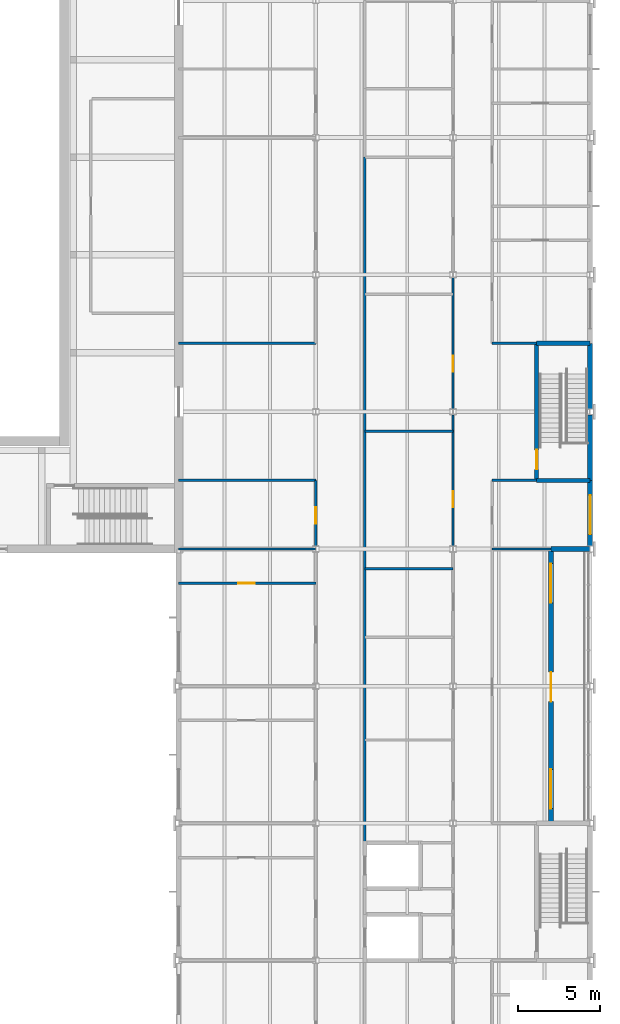
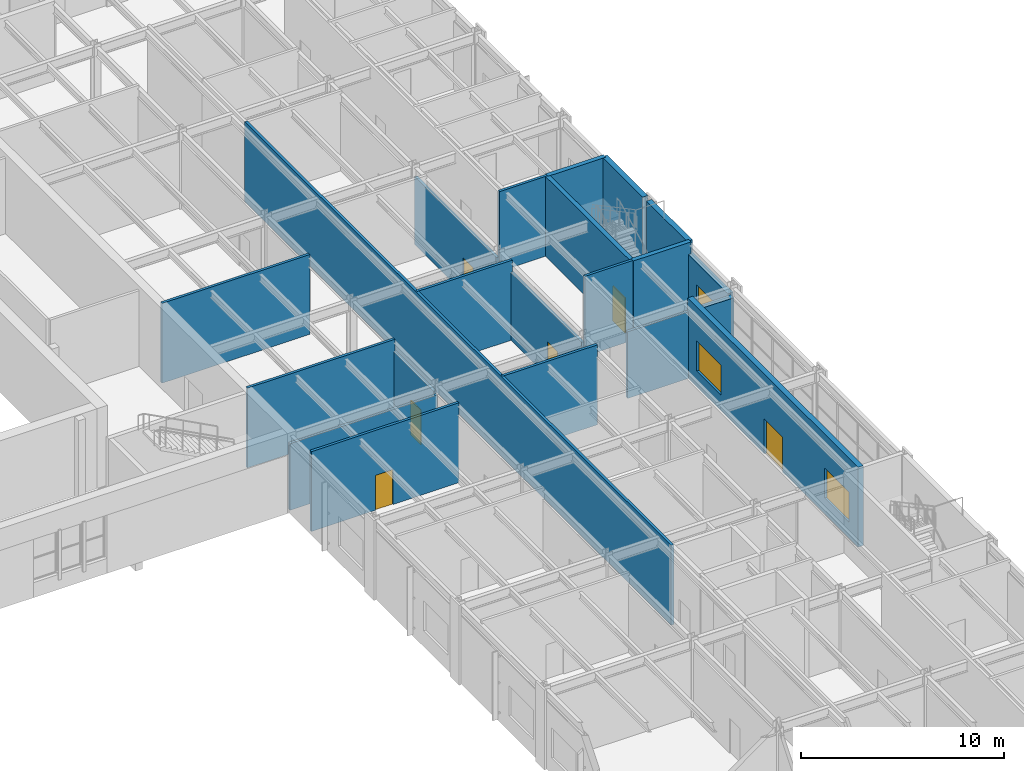
# One storey, part 76 of 127: 21 walls, 6 doors, 3 windows, 9 openings.
"""IFC4 building model written with IfcOpenShell, lengths in metres."""

from ifc_helpers import new_model, si_unit, direction, frame, frame_2d, origin, place, context, subcontext, project, spatial, rectangle, extrude, material, layer, layer_set, type_object, element, fill, save


model = new_model("IFC4")

# Units and contexts
model_context = context("Model", 3, precision=1e-05, world=origin(), true_north=direction((0.0, 1.0)))
body_context = subcontext(model_context, "Body", "Model", "MODEL_VIEW")
ifc_project = project(units=[si_unit("LENGTHUNIT", "METRE"), si_unit("AREAUNIT", "SQUARE_METRE"), si_unit("VOLUMEUNIT", "CUBIC_METRE"), si_unit("PLANEANGLEUNIT", "RADIAN"), si_unit("MASSUNIT", "GRAM", prefix="KILO")], contexts=[model_context])

# Site, building, storey
site_placement = place(None, origin())
site = spatial("IfcSite", under=ifc_project, at=site_placement, CompositionType="ELEMENT")
building_placement = place(site_placement, origin())
building = spatial("IfcBuilding", under=site, at=building_placement, Name="Ljudholm Concert House", CompositionType="ELEMENT")
storey_placement = place(building_placement, frame((0.0, 0.0, 5.39990234375)))
storey = spatial("IfcBuildingStorey", under=building, at=storey_placement, Name="L01", CompositionType="ELEMENT", Elevation=5.39990234375)

# Wall, opening, door
ifc_material_1 = material(Name="Gypsum board on steel studs", Category="steel")
ifc_layer_1 = layer(ifc_material_1, 0.14990234375)
ifc_layer_set_1 = layer_set([ifc_layer_1], Name="Gypsum board on steel studs")
wall_type_1 = type_object("IfcWallType", Name="GYPSUM PARTITION 150", PredefinedType="PARTITIONING", material=ifc_layer_set_1)
wall_1_placement = place(storey_placement, frame((104.800048828125, 54.586669921875, 0.0), z_axis=(0.0, 0.0, 1.0), x_axis=(0.0, 1.0, 0.0)))
wall_1 = element("IfcWall", 1, at=wall_1_placement, inside=storey, type_object=wall_type_1, Name="Partition", PredefinedType="PARTITIONING", context=body_context, shape_type="SweptSolid", body=[
    extrude(rectangle(XDim=4.013427734375, YDim=0.14990234375, at=frame_2d((2.0068359375, 0.0))), origin(), (0.0, 0.0, 1.0), 4.086669921875),
])
opening_1_placement = place(wall_1_placement, frame((1.36328125, 0.0, 0.0)))
opening_1 = element("IfcOpeningElement", 2, at=opening_1_placement, cuts=wall_1, Name="Opening D-W01-018", PredefinedType="OPENING", context=body_context, shape_type="SweptSolid", body=[
    extrude(rectangle(XDim=1.0, YDim=2.10009765625, at=frame_2d((0.5, 1.050048828125))), frame((0.0, 0.0849609375, 0.0), z_axis=(0.0, -1.0, 0.0), x_axis=(1.0, 0.0, 0.0)), (0.0, 0.0, 1.0), 0.169921875),
])
ifc_material_2 = material(Name="Hollow metal door in steel frame", Category="steel")
door_type_1 = type_object("IfcDoorType", Name="SWING DOOR 1000x2100", OperationType="SINGLE_SWING_LEFT", PredefinedType="DOOR", material=ifc_material_2)
door_1_placement = place(opening_1_placement, origin())
door_1 = element("IfcDoor", 3, at=door_1_placement, inside=storey, type_object=door_type_1, Name="Door", OperationType="SINGLE_SWING_RIGHT", OverallHeight=2.10009765625, OverallWidth=1.0, PredefinedType="DOOR", context=body_context, shape_type="SweptSolid", body=[
    extrude(rectangle(XDim=1.0, YDim=2.10009765625, at=frame_2d((0.5, 1.050048828125))), frame((0.0, 0.02490234375, 0.0), z_axis=(0.0, -1.0, 0.0), x_axis=(1.0, 0.0, 0.0)), (0.0, 0.0, 1.0), 0.050048828125),
])
fill(opening_1, door_1)

# Wall
wall_2_placement = place(storey_placement, frame((107.800048828125, 36.39990234375, 0.0), z_axis=(0.0, 0.0, 1.0), x_axis=(0.0, 1.0, 0.0)))
element("IfcWall", 4, at=wall_2_placement, inside=storey, type_object=wall_type_1, Name="Partition", PredefinedType="PARTITIONING", context=body_context, shape_type="SweptSolid", body=[
    extrude(rectangle(XDim=42.0, YDim=0.14990234375, at=frame_2d((21.0, 0.0))), origin(), (0.0, 0.0, 1.0), 4.800048828125),
])

# Wall, opening, door
wall_3_placement = place(storey_placement, frame((113.199951171875, 54.586669921875, 0.0), z_axis=(0.0, 0.0, 1.0), x_axis=(0.0, 1.0, 0.0)))
wall_3 = element("IfcWall", 5, at=wall_3_placement, inside=storey, type_object=wall_type_1, Name="Partition", PredefinedType="PARTITIONING", context=body_context, shape_type="SweptSolid", body=[
    extrude(rectangle(XDim=8.026611328125, YDim=0.14990234375, at=frame_2d((4.01318359375, 0.0))), origin(), (0.0, 0.0, 1.0), 4.086669921875),
])
opening_2_placement = place(wall_3_placement, frame((2.36328125, 0.0, 0.0)))
opening_2 = element("IfcOpeningElement", 6, at=opening_2_placement, cuts=wall_3, Name="Opening D-W01-028", PredefinedType="OPENING", context=body_context, shape_type="SweptSolid", body=[
    extrude(rectangle(XDim=1.0, YDim=2.10009765625, at=frame_2d((0.5, 1.050048828125))), frame((0.0, 0.0849609375, 0.0), z_axis=(0.0, -1.0, 0.0), x_axis=(1.0, 0.0, 0.0)), (0.0, 0.0, 1.0), 0.169921875),
])
door_2_placement = place(opening_2_placement, origin())
door_2 = element("IfcDoor", 7, at=door_2_placement, inside=storey, type_object=door_type_1, Name="Door", OperationType="SINGLE_SWING_LEFT", OverallHeight=2.10009765625, OverallWidth=1.0, PredefinedType="DOOR", context=body_context, shape_type="SweptSolid", body=[
    extrude(rectangle(XDim=1.0, YDim=2.10009765625, at=frame_2d((0.5, 1.050048828125))), frame((0.0, 0.02490234375, 0.0), z_axis=(0.0, -1.0, 0.0), x_axis=(1.0, 0.0, 0.0)), (0.0, 0.0, 1.0), 0.050048828125),
])
fill(opening_2, door_2)

wall_4_placement = place(storey_placement, frame((113.199951171875, 62.986572265625, 0.0), z_axis=(0.0, 0.0, 1.0), x_axis=(0.0, 1.0, 0.0)))
wall_4 = element("IfcWall", 8, at=wall_4_placement, inside=storey, type_object=wall_type_1, Name="Partition", PredefinedType="PARTITIONING", context=body_context, shape_type="SweptSolid", body=[
    extrude(rectangle(XDim=8.02685546875, YDim=0.14990234375, at=frame_2d((4.013427734375, 0.0))), origin(), (0.0, 0.0, 1.0), 4.086669921875),
])
opening_3_placement = place(wall_4_placement, frame((2.263427734375, 0.0, 0.0)))
opening_3 = element("IfcOpeningElement", 9, at=opening_3_placement, cuts=wall_4, Name="Opening D-W01-029", PredefinedType="OPENING", context=body_context, shape_type="SweptSolid", body=[
    extrude(rectangle(XDim=1.0, YDim=2.10009765625, at=frame_2d((0.5, 1.050048828125))), frame((0.0, 0.0849609375, 0.0), z_axis=(0.0, -1.0, 0.0), x_axis=(1.0, 0.0, 0.0)), (0.0, 0.0, 1.0), 0.169921875),
])
door_3_placement = place(opening_3_placement, origin())
door_3 = element("IfcDoor", 10, at=door_3_placement, inside=storey, type_object=door_type_1, Name="Door", OperationType="SINGLE_SWING_LEFT", OverallHeight=2.10009765625, OverallWidth=1.0, PredefinedType="DOOR", context=body_context, shape_type="SweptSolid", body=[
    extrude(rectangle(XDim=1.0, YDim=2.10009765625, at=frame_2d((0.5, 1.050048828125))), frame((0.0, 0.02490234375, 0.0), z_axis=(0.0, -1.0, 0.0), x_axis=(1.0, 0.0, 0.0)), (0.0, 0.0, 1.0), 0.050048828125),
])
fill(opening_3, door_3)

wall_5_placement = place(storey_placement, frame((96.39990234375, 52.300048828125, 0.0), z_axis=(0.0, 0.0, 1.0), x_axis=(1.0, 0.0, 0.0)))
wall_5 = element("IfcWall", 11, at=wall_5_placement, inside=storey, type_object=wall_type_1, Name="Partition", PredefinedType="PARTITIONING", context=body_context, shape_type="SweptSolid", body=[
    extrude(rectangle(XDim=8.400146484375, YDim=0.14990234375, at=frame_2d((4.2001953125, 0.0))), origin(), (0.0, 0.0, 1.0), 4.800048828125),
])
opening_4_placement = place(wall_5_placement, frame((3.64990234375, 0.0, 0.0)))
opening_4 = element("IfcOpeningElement", 12, at=opening_4_placement, cuts=wall_5, Name="Opening D-W01-017", PredefinedType="OPENING", context=body_context, shape_type="SweptSolid", body=[
    extrude(rectangle(XDim=1.0, YDim=2.10009765625, at=frame_2d((0.5, 1.050048828125))), frame((0.0, 0.0849609375, 0.0), z_axis=(0.0, -1.0, 0.0), x_axis=(1.0, 0.0, 0.0)), (0.0, 0.0, 1.0), 0.169921875),
])
door_4_placement = place(opening_4_placement, origin())
door_4 = element("IfcDoor", 13, at=door_4_placement, inside=storey, type_object=door_type_1, Name="Door", OperationType="SINGLE_SWING_RIGHT", OverallHeight=2.10009765625, OverallWidth=1.0, PredefinedType="DOOR", context=body_context, shape_type="SweptSolid", body=[
    extrude(rectangle(XDim=1.0, YDim=2.10009765625, at=frame_2d((0.5, 1.050048828125))), frame((0.0, 0.02490234375, 0.0), z_axis=(0.0, -1.0, 0.0), x_axis=(1.0, 0.0, 0.0)), (0.0, 0.0, 1.0), 0.050048828125),
])
fill(opening_4, door_4)

# Walls
wall_6_placement = place(storey_placement, frame((107.800048828125, 53.199951171875, 0.0), z_axis=(0.0, 0.0, 1.0), x_axis=(1.0, 0.0, 0.0)))
element("IfcWall", 14, at=wall_6_placement, inside=storey, type_object=wall_type_1, Name="Partition", PredefinedType="PARTITIONING", context=body_context, shape_type="SweptSolid", body=[
    extrude(rectangle(XDim=5.39990234375, YDim=0.14990234375, at=frame_2d((2.699951171875, 0.0))), origin(), (0.0, 0.0, 1.0), 4.800048828125),
])
wall_7_placement = place(storey_placement, frame((96.39990234375, 54.39990234375, 0.0), z_axis=(0.0, 0.0, 1.0), x_axis=(1.0, 0.0, 0.0)))
element("IfcWall", 15, at=wall_7_placement, inside=storey, type_object=wall_type_1, Name="Partition", PredefinedType="PARTITIONING", context=body_context, shape_type="SweptSolid", body=[
    extrude(rectangle(XDim=8.391845703125, YDim=0.14990234375, at=frame_2d((4.19580078125, 0.0))), origin(), (0.0, 0.0, 1.0), 4.008056640625),
])
wall_8_placement = place(storey_placement, frame((115.60009765625, 54.39990234375, 0.0), z_axis=(0.0, 0.0, 1.0), x_axis=(1.0, 0.0, 0.0)))
element("IfcWall", 16, at=wall_8_placement, inside=storey, type_object=wall_type_1, Name="Partition", PredefinedType="PARTITIONING", context=body_context, shape_type="SweptSolid", body=[
    extrude(rectangle(XDim=3.599853515625, YDim=0.14990234375, at=frame_2d((1.7998046875, 0.0))), origin(), (0.0, 0.0, 1.0), 4.008056640625),
])
wall_9_placement = place(storey_placement, frame((96.39990234375, 58.60009765625, 0.0), z_axis=(0.0, 0.0, 1.0), x_axis=(1.0, 0.0, 0.0)))
element("IfcWall", 17, at=wall_9_placement, inside=storey, type_object=wall_type_1, Name="Partition", PredefinedType="PARTITIONING", context=body_context, shape_type="SweptSolid", body=[
    extrude(rectangle(XDim=8.400146484375, YDim=0.14990234375, at=frame_2d((4.2001953125, 0.0))), origin(), (0.0, 0.0, 1.0), 4.800048828125),
])
wall_10_placement = place(storey_placement, frame((115.60009765625, 58.60009765625, 0.0), z_axis=(0.0, 0.0, 1.0), x_axis=(1.0, 0.0, 0.0)))
element("IfcWall", 18, at=wall_10_placement, inside=storey, type_object=wall_type_1, Name="Partition", PredefinedType="PARTITIONING", context=body_context, shape_type="SweptSolid", body=[
    extrude(rectangle(XDim=2.724853515625, YDim=0.14990234375, at=frame_2d((1.3623046875, 0.0))), origin(), (0.0, 0.0, 1.0), 4.800048828125),
])
wall_11_placement = place(storey_placement, frame((107.800048828125, 61.60009765625, 0.0), z_axis=(0.0, 0.0, 1.0), x_axis=(1.0, 0.0, 0.0)))
element("IfcWall", 19, at=wall_11_placement, inside=storey, type_object=wall_type_1, Name="Partition", PredefinedType="PARTITIONING", context=body_context, shape_type="SweptSolid", body=[
    extrude(rectangle(XDim=5.39990234375, YDim=0.14990234375, at=frame_2d((2.699951171875, 0.0))), origin(), (0.0, 0.0, 1.0), 4.800048828125),
])
wall_12_placement = place(storey_placement, frame((96.39990234375, 67.0, 0.0), z_axis=(0.0, 0.0, 1.0), x_axis=(1.0, 0.0, 0.0)))
element("IfcWall", 20, at=wall_12_placement, inside=storey, type_object=wall_type_1, Name="Partition", PredefinedType="PARTITIONING", context=body_context, shape_type="SweptSolid", body=[
    extrude(rectangle(XDim=8.400146484375, YDim=0.14990234375, at=frame_2d((4.2001953125, 0.0))), origin(), (0.0, 0.0, 1.0), 4.800048828125),
])
wall_13_placement = place(storey_placement, frame((115.60009765625, 67.0, 0.0), z_axis=(0.0, 0.0, 1.0), x_axis=(1.0, 0.0, 0.0)))
element("IfcWall", 21, at=wall_13_placement, inside=storey, type_object=wall_type_1, Name="Partition", PredefinedType="PARTITIONING", context=body_context, shape_type="SweptSolid", body=[
    extrude(rectangle(XDim=2.724853515625, YDim=0.14990234375, at=frame_2d((1.3623046875, 0.0))), origin(), (0.0, 0.0, 1.0), 4.800048828125),
])

# Wall, opening, window
ifc_material_3 = material(Name="Precast concrete 5,000 psi", Category="concrete")
ifc_layer_2 = layer(ifc_material_3, 0.300048828125)
ifc_layer_set_2 = layer_set([ifc_layer_2], Name="Precast concrete 5,000 psi")
wall_type_2 = type_object("IfcWallType", Name="PRECAST PANEL WALL 300", PredefinedType="SOLIDWALL", material=ifc_layer_set_2)
wall_14_placement = place(storey_placement, frame((121.60009765625, 54.586669921875, 0.0), z_axis=(0.0, 0.0, 1.0), x_axis=(0.0, 1.0, 0.0)))
wall_14 = element("IfcWall", 22, at=wall_14_placement, inside=storey, type_object=wall_type_2, Name="Facade wall", PredefinedType="SOLIDWALL", context=body_context, shape_type="SweptSolid", body=[
    extrude(rectangle(XDim=4.013427734375, YDim=0.300048828125, at=frame_2d((2.0068359375, 0.0))), origin(), (0.0, 0.0, 1.0), 4.086669921875),
])
opening_5_placement = place(wall_14_placement, frame((0.71337890625, 0.0, 0.949951171875)))
opening_5 = element("IfcOpeningElement", 23, at=opening_5_placement, cuts=wall_14, Name="Opening X-W01-009", PredefinedType="OPENING", context=body_context, shape_type="SweptSolid", body=[
    extrude(rectangle(XDim=2.39990234375, YDim=1.800048828125, at=frame_2d((1.199951171875, 0.89990234375))), frame((0.0, 0.159912109375, 0.0), z_axis=(0.0, -1.0, 0.0), x_axis=(1.0, 0.0, 0.0)), (0.0, 0.0, 1.0), 0.320068359375),
])
ifc_material_4 = material(Name="Aluminium frame, impact glazing", Category="aluminium")
window_type = type_object("IfcWindowType", Name="CASEMENT WINDOW 2400x1800", PartitioningType="DOUBLE_PANEL_VERTICAL", PredefinedType="WINDOW", material=ifc_material_4)
window_1_placement = place(opening_5_placement, origin())
window_1 = element("IfcWindow", 24, at=window_1_placement, inside=storey, type_object=window_type, Name="Window", OverallHeight=1.800048828125, OverallWidth=2.39990234375, PartitioningType="DOUBLE_PANEL_VERTICAL", PredefinedType="WINDOW", context=body_context, shape_type="SweptSolid", body=[
    extrude(rectangle(XDim=2.39990234375, YDim=1.800048828125, at=frame_2d((1.199951171875, 0.89990234375))), frame((0.0, 0.030029296875, 0.0), z_axis=(0.0, -1.0, 0.0), x_axis=(1.0, 0.0, 0.0)), (0.0, 0.0, 1.0), 0.06005859375),
])
fill(opening_5, window_1)

# Wall, openings, windows, door
wall_15_placement = place(storey_placement, frame((119.199951171875, 37.60009765625, 0.0), z_axis=(0.0, 0.0, 1.0), x_axis=(0.0, 1.0, 0.0)))
wall_15 = element("IfcWall", 25, at=wall_15_placement, inside=storey, type_object=wall_type_2, Name="Loggia wall", PredefinedType="SOLIDWALL", context=body_context, shape_type="SweptSolid", body=[
    extrude(rectangle(XDim=16.7998046875, YDim=0.300048828125, at=frame_2d((8.39990234375, 0.0))), origin(), (0.0, 0.0, 1.0), 4.800048828125),
])
opening_6_placement = place(wall_15_placement, frame((7.449951171875, 0.0, 0.0)))
opening_6 = element("IfcOpeningElement", 26, at=opening_6_placement, cuts=wall_15, Name="Opening D-W01-045", PredefinedType="OPENING", context=body_context, shape_type="SweptSolid", body=[
    extrude(rectangle(XDim=1.800048828125, YDim=2.10009765625, at=frame_2d((0.89990234375, 1.050048828125))), frame((0.0, 0.159912109375, 0.0), z_axis=(0.0, -1.0, 0.0), x_axis=(1.0, 0.0, 0.0)), (0.0, 0.0, 1.0), 0.320068359375),
])
opening_7_placement = place(wall_15_placement, frame((0.89990234375, 0.0, 0.949951171875)))
opening_7 = element("IfcOpeningElement", 27, at=opening_7_placement, cuts=wall_15, Name="Opening X-W01-015", PredefinedType="OPENING", context=body_context, shape_type="SweptSolid", body=[
    extrude(rectangle(XDim=2.39990234375, YDim=1.800048828125, at=frame_2d((1.199951171875, 0.89990234375))), frame((0.0, 0.159912109375, 0.0), z_axis=(0.0, -1.0, 0.0), x_axis=(1.0, 0.0, 0.0)), (0.0, 0.0, 1.0), 0.320068359375),
])
opening_8_placement = place(wall_15_placement, frame((13.5, 0.0, 0.949951171875)))
opening_8 = element("IfcOpeningElement", 28, at=opening_8_placement, cuts=wall_15, Name="Opening X-W01-016", PredefinedType="OPENING", context=body_context, shape_type="SweptSolid", body=[
    extrude(rectangle(XDim=2.39990234375, YDim=1.800048828125, at=frame_2d((1.199951171875, 0.89990234375))), frame((0.0, 0.159912109375, 0.0), z_axis=(0.0, -1.0, 0.0), x_axis=(1.0, 0.0, 0.0)), (0.0, 0.0, 1.0), 0.320068359375),
])
window_2_placement = place(opening_7_placement, origin())
window_2 = element("IfcWindow", 29, at=window_2_placement, inside=storey, type_object=window_type, Name="Window", OverallHeight=1.800048828125, OverallWidth=2.39990234375, PartitioningType="DOUBLE_PANEL_VERTICAL", PredefinedType="WINDOW", context=body_context, shape_type="SweptSolid", body=[
    extrude(rectangle(XDim=2.39990234375, YDim=1.800048828125, at=frame_2d((1.199951171875, 0.89990234375))), frame((0.0, 0.030029296875, 0.0), z_axis=(0.0, -1.0, 0.0), x_axis=(1.0, 0.0, 0.0)), (0.0, 0.0, 1.0), 0.06005859375),
])
fill(opening_7, window_2)
window_3_placement = place(opening_8_placement, origin())
window_3 = element("IfcWindow", 30, at=window_3_placement, inside=storey, type_object=window_type, Name="Window", OverallHeight=1.800048828125, OverallWidth=2.39990234375, PartitioningType="DOUBLE_PANEL_VERTICAL", PredefinedType="WINDOW", context=body_context, shape_type="SweptSolid", body=[
    extrude(rectangle(XDim=2.39990234375, YDim=1.800048828125, at=frame_2d((1.199951171875, 0.89990234375))), frame((0.0, 0.030029296875, 0.0), z_axis=(0.0, -1.0, 0.0), x_axis=(1.0, 0.0, 0.0)), (0.0, 0.0, 1.0), 0.06005859375),
])
fill(opening_8, window_3)
ifc_material_5 = material(Name="Hollow metal door in steel frame", Category="steel")
door_type_2 = type_object("IfcDoorType", Name="DOUBLE DOOR 1800x2100 EXTERNAL", OperationType="DOUBLE_DOOR_SINGLE_SWING", PredefinedType="DOOR", material=ifc_material_5)
door_5_placement = place(opening_6_placement, frame((1.800048828125, 0.0, 0.0), z_axis=(0.0, 0.0, 1.0), x_axis=(-1.0, 0.0, 0.0)))
door_5 = element("IfcDoor", 31, at=door_5_placement, inside=storey, type_object=door_type_2, Name="Loggia door", OperationType="DOUBLE_DOOR_SINGLE_SWING", OverallHeight=2.10009765625, OverallWidth=1.800048828125, PredefinedType="DOOR", context=body_context, shape_type="SweptSolid", body=[
    extrude(rectangle(XDim=1.800048828125, YDim=2.10009765625, at=frame_2d((0.89990234375, 1.050048828125))), frame((0.0, 0.02490234375, 0.0), z_axis=(0.0, -1.0, 0.0), x_axis=(1.0, 0.0, 0.0)), (0.0, 0.0, 1.0), 0.050048828125),
])
fill(opening_6, door_5)

# Wall
wall_16_placement = place(storey_placement, frame((119.199951171875, 54.39990234375, 0.0), z_axis=(0.0, 0.0, 1.0), x_axis=(1.0, 0.0, 0.0)))
element("IfcWall", 32, at=wall_16_placement, inside=storey, type_object=wall_type_2, Name="Loggia wall", PredefinedType="SOLIDWALL", context=body_context, shape_type="SweptSolid", body=[
    extrude(rectangle(XDim=2.391845703125, YDim=0.300048828125, at=frame_2d((1.19580078125, 0.0))), origin(), (0.0, 0.0, 1.0), 4.008056640625),
])

# Wall, opening, door
ifc_material_6 = material(Name="Concrete 6,500 psi", Category="concrete")
ifc_layer_3 = layer(ifc_material_6, 0.25)
ifc_layer_set_3 = layer_set([ifc_layer_3], Name="Concrete 6,500 psi")
wall_type_3 = type_object("IfcWallType", Name="RC CORE WALL 250", PredefinedType="SHEAR", material=ifc_layer_set_3)
wall_17_placement = place(storey_placement, frame((118.324951171875, 58.60009765625, 0.0), z_axis=(0.0, 0.0, 1.0), x_axis=(0.0, 1.0, 0.0)))
wall_17 = element("IfcWall", 33, at=wall_17_placement, inside=storey, type_object=wall_type_3, Name="Stair core wall", PredefinedType="SHEAR", context=body_context, shape_type="SweptSolid", body=[
    extrude(rectangle(XDim=8.39990234375, YDim=0.25, at=frame_2d((4.199951171875, 0.0))), origin(), (0.0, 0.0, 1.0), 4.800048828125),
])
opening_9_placement = place(wall_17_placement, frame((0.675048828125, 0.0, 0.0)))
opening_9 = element("IfcOpeningElement", 34, at=opening_9_placement, cuts=wall_17, Name="Opening D-W01-005", PredefinedType="OPENING", context=body_context, shape_type="SweptSolid", body=[
    extrude(rectangle(XDim=1.199951171875, YDim=2.10009765625, at=frame_2d((0.60009765625, 1.050048828125))), frame((0.0, 0.135009765625, 0.0), z_axis=(0.0, -1.0, 0.0), x_axis=(1.0, 0.0, 0.0)), (0.0, 0.0, 1.0), 0.27001953125),
])
ifc_material_7 = material(Name="Hollow metal door in steel frame", Category="steel")
door_type_3 = type_object("IfcDoorType", Name="SWING DOOR 1200x2100", OperationType="SINGLE_SWING_LEFT", PredefinedType="DOOR", material=ifc_material_7)
door_6_placement = place(opening_9_placement, origin())
door_6 = element("IfcDoor", 35, at=door_6_placement, inside=storey, type_object=door_type_3, Name="Door", OperationType="SINGLE_SWING_LEFT", OverallHeight=2.10009765625, OverallWidth=1.199951171875, PredefinedType="DOOR", context=body_context, shape_type="SweptSolid", body=[
    extrude(rectangle(XDim=1.199951171875, YDim=2.10009765625, at=frame_2d((0.60009765625, 1.050048828125))), frame((0.0, 0.02490234375, 0.0), z_axis=(0.0, -1.0, 0.0), x_axis=(1.0, 0.0, 0.0)), (0.0, 0.0, 1.0), 0.050048828125),
])
fill(opening_9, door_6)

# Walls
for number, where, z_axis, x_axis, name in (
    (36, (118.324951171875, 58.60009765625, 0.0), (0.0, 0.0, 1.0), (1.0, 0.0, 0.0), "Stair core wall"),
    (37, (118.324951171875, 67.0, 0.0), (0.0, 0.0, 1.0), (1.0, 0.0, 0.0), "Stair core wall"),
):
    element("IfcWall", number, at=place(storey_placement, frame(where, z_axis=z_axis, x_axis=x_axis)), inside=storey, type_object=wall_type_3, Name=name, PredefinedType="SHEAR", context=body_context, shape_type="SweptSolid", body=[
        extrude(rectangle(XDim=3.275146484375, YDim=0.25, at=frame_2d((1.6376953125, 0.0))), origin(), (0.0, 0.0, 1.0), 4.800048828125),
    ])
ifc_material_8 = material(Name="Concrete 6,500 psi", Category="concrete")
ifc_layer_4 = layer(ifc_material_8, 0.300048828125)
ifc_layer_set_4 = layer_set([ifc_layer_4], Name="Concrete 6,500 psi")
wall_type_4 = type_object("IfcWallType", Name="RC CORE WALL 300", PredefinedType="SHEAR", material=ifc_layer_set_4)
wall_18_placement = place(storey_placement, frame((121.60009765625, 58.60009765625, 0.0), z_axis=(0.0, 0.0, 1.0), x_axis=(0.0, 1.0, 0.0)))
element("IfcWall", 38, at=wall_18_placement, inside=storey, type_object=wall_type_4, Name="Stair core wall", PredefinedType="SHEAR", context=body_context, shape_type="SweptSolid", body=[
    extrude(rectangle(XDim=4.01318359375, YDim=0.300048828125, at=frame_2d((2.006591796875, 0.0))), origin(), (0.0, 0.0, 1.0), 4.800048828125),
])
wall_19_placement = place(storey_placement, frame((121.60009765625, 62.986572265625, 0.0), z_axis=(0.0, 0.0, 1.0), x_axis=(0.0, 1.0, 0.0)))
element("IfcWall", 39, at=wall_19_placement, inside=storey, type_object=wall_type_4, Name="Stair core wall", PredefinedType="SHEAR", context=body_context, shape_type="SweptSolid", body=[
    extrude(rectangle(XDim=4.013427734375, YDim=0.300048828125, at=frame_2d((2.0068359375, 0.0))), origin(), (0.0, 0.0, 1.0), 4.800048828125),
])

save(model, "model.ifc")
